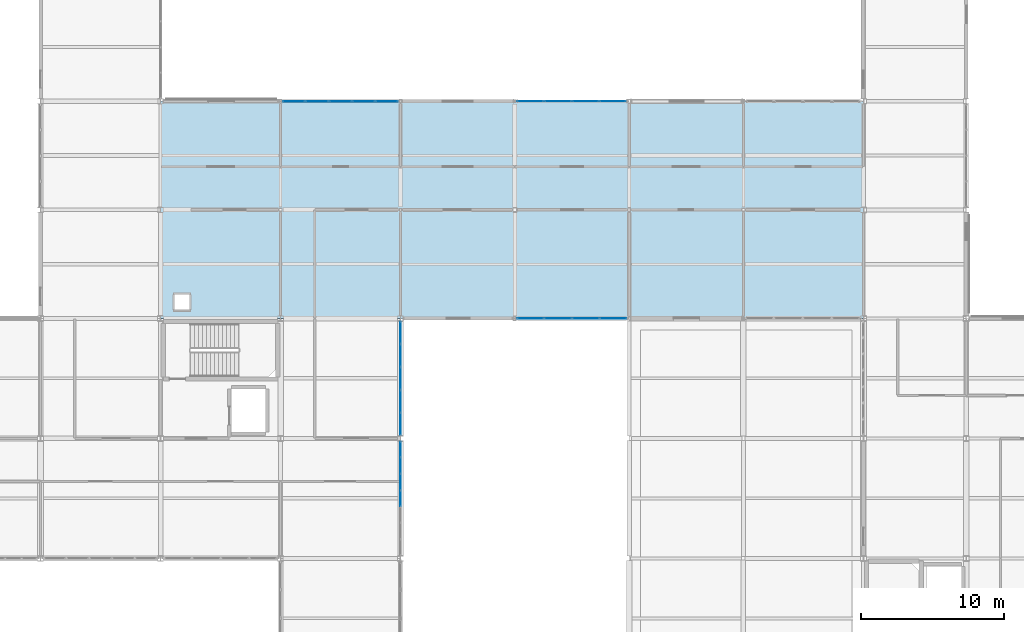
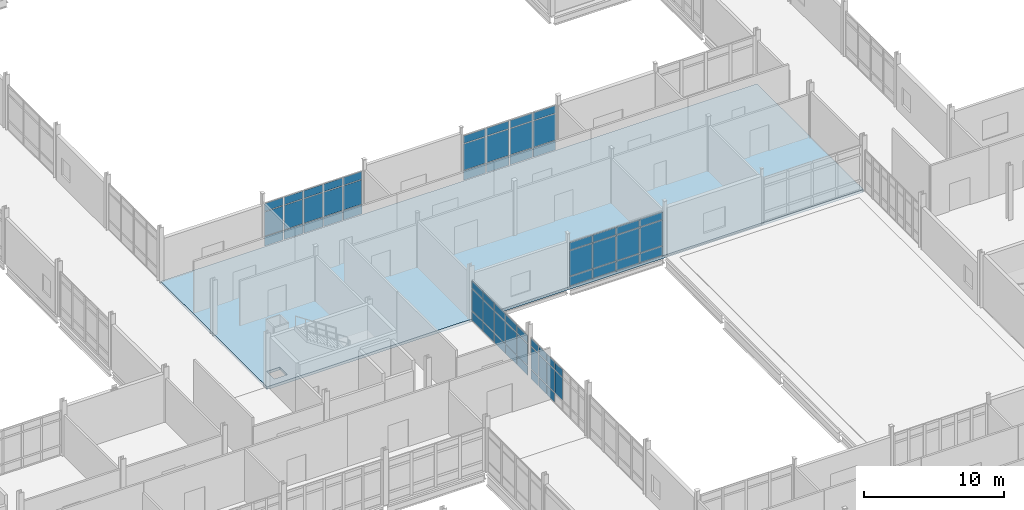
# One storey, part 125 of 186: 65 plates, 1 slab, 5 elements without a shape of their own.
"""IFC4 building model written with IfcOpenShell, lengths in metres."""

import ifcopenshell
import ifcopenshell.guid

model = None  # the IFC model being written
_history = None  # IfcOwnerHistory: only IFC2X3 demands one
_inside = {}  # id of a spatial element -> (the spatial element, [elements in it])
_under = {}  # id of a project, library or spatial element -> (it, [spatial elements below it])
_declared = {}  # id of a project -> (the project, [libraries it declares])
_typed = {}  # id of a type object -> (the type object, [elements of that type])
_made_of = {}  # id of a material, layer set ... -> (it, [elements and type objects made of it])


def new_model(schema):
    """Start an empty IFC model of exactly this schema.

    Asked for "IFC4X3", IfcOpenShell would pick the latest addendum, in which some entities
    have other attributes; the version numbers below select the first issue.
    IFC2X3 requires an IfcOwnerHistory on every rooted entity: one is made here for all.
    """
    global model, _history
    if schema == "IFC4X3":
        model = ifcopenshell.file(schema_version=(4, 3, 0, 0))
    else:
        model = ifcopenshell.file(schema=schema)
    _inside.clear()
    _under.clear()
    _declared.clear()
    _typed.clear()
    _made_of.clear()
    _history = None
    if model.schema == "IFC2X3":
        org = make("IfcOrganization", Name="unknown")
        user = make(
            "IfcPersonAndOrganization",
            ThePerson=make("IfcPerson", FamilyName="unknown"),
            TheOrganization=org,
        )
        app = make(
            "IfcApplication",
            ApplicationDeveloper=org,
            Version="unknown",
            ApplicationFullName="unknown",
            ApplicationIdentifier="unknown",
        )
        _history = make(
            "IfcOwnerHistory",
            OwningUser=user,
            OwningApplication=app,
            ChangeAction="ADDED",
            CreationDate=0,
        )
    return model


def make(cls, **values):
    """One entity of the class cls with the attributes given. An attribute that is None is left unset."""
    return model.create_entity(
        cls, **{name: value for name, value in values.items() if value is not None}
    )


def rooted(cls, **values):
    """An entity with a GlobalId (a new one), such as an element, a storey or a relation."""
    return make(cls, GlobalId=ifcopenshell.guid.new(), OwnerHistory=_history, **values)


def si_unit(unit_type, name, prefix=None):
    """IfcSIUnit, for example si_unit("LENGTHUNIT", "METRE", prefix="MILLI")."""
    return make("IfcSIUnit", UnitType=unit_type, Prefix=prefix, Name=name)


def assignment(units):
    """IfcUnitAssignment: the units of a project."""
    return None if units is None else make("IfcUnitAssignment", Units=units)


def point(xyz):
    """IfcCartesianPoint."""
    return None if xyz is None else make("IfcCartesianPoint", Coordinates=xyz)


def direction(xyz):
    """IfcDirection."""
    return None if xyz is None else make("IfcDirection", DirectionRatios=xyz)


def frame(location, z_axis=None, x_axis=None):
    """IfcAxis2Placement3D, a coordinate frame: its origin and axes. An axis left out is left unset."""
    return make(
        "IfcAxis2Placement3D",
        Location=point(location),
        Axis=direction(z_axis),
        RefDirection=direction(x_axis),
    )


def frame_2d(location, x_axis=None):
    """IfcAxis2Placement2D, a coordinate frame in the plane: its origin and x axis."""
    return make(
        "IfcAxis2Placement2D", Location=point(location), RefDirection=direction(x_axis)
    )


def origin():
    """The frame at (0, 0, 0) with its axes left unset."""
    return frame((0.0, 0.0, 0.0))


def origin_2d():
    """The frame at (0, 0) in the plane with its x axis left unset."""
    return frame_2d((0.0, 0.0))


def place(relative_to, where):
    """IfcLocalPlacement: puts the frame where relative to a parent placement (None: the world)."""
    return make(
        "IfcLocalPlacement", PlacementRelTo=relative_to, RelativePlacement=where
    )


def context(
    kind, dimensions, precision=None, world=None, true_north=None, identifier=None
):
    """IfcGeometricRepresentationContext, for example the 3D "Model" context."""
    return make(
        "IfcGeometricRepresentationContext",
        ContextIdentifier=identifier,
        ContextType=kind,
        CoordinateSpaceDimension=dimensions,
        Precision=precision,
        WorldCoordinateSystem=world,
        TrueNorth=true_north,
    )


def subcontext(parent, identifier, kind, view, scale=None):
    """IfcGeometricRepresentationSubContext, for example "Body" below "Model"."""
    return make(
        "IfcGeometricRepresentationSubContext",
        ContextIdentifier=identifier,
        ContextType=kind,
        ParentContext=parent,
        TargetScale=scale,
        TargetView=view,
    )


def project(units=None, contexts=None):
    """IfcProject with its units and contexts."""
    return rooted(
        "IfcProject",
        Name="project",
        RepresentationContexts=contexts,
        UnitsInContext=assignment(units),
    )


def spatial(cls, under=None, at=None, **own):
    """A site, building, storey or space (cls), placed at a placement, below another one or the project."""
    s = rooted(cls, ObjectPlacement=at, **own)
    if under is not None:
        _under.setdefault(under.id(), (under, []))[1].append(s)
    return s


def polyline(points):
    """IfcPolyline through the points."""
    return make("IfcPolyline", Points=[point(p) for p in points])


def profile(cls, at=None, kind="AREA", **sizes):
    """A parametric profile (cls). Its sizes go by their IFC names, for example OverallWidth=200.0."""
    return make(cls, ProfileType=kind, Position=at, **sizes)


def rectangle(**sizes):
    """IfcRectangleProfileDef."""
    return profile("IfcRectangleProfileDef", **sizes)


def outline(outer, holes=None, kind="AREA"):
    """IfcArbitraryClosedProfileDef: a profile drawn as a closed curve; with holes, ...WithVoids."""
    if holes is None:
        return make("IfcArbitraryClosedProfileDef", ProfileType=kind, OuterCurve=outer)
    return make(
        "IfcArbitraryProfileDefWithVoids",
        ProfileType=kind,
        OuterCurve=outer,
        InnerCurves=holes,
    )


def extrude(swept, where, along, depth):
    """IfcExtrudedAreaSolid: the profile swept, set in the frame where, extruded along a direction by depth."""
    return make(
        "IfcExtrudedAreaSolid",
        SweptArea=swept,
        Position=where,
        ExtrudedDirection=direction(along),
        Depth=depth,
    )


def shape(context_of_items, identifier, shape_type, items):
    """IfcShapeRepresentation: the items that make up one representation, for example the "Body"."""
    return make(
        "IfcShapeRepresentation",
        ContextOfItems=context_of_items,
        RepresentationIdentifier=identifier,
        RepresentationType=shape_type,
        Items=items,
    )


def material(Name=None, Category=None):
    """IfcMaterial."""
    return make("IfcMaterial", Name=Name, Category=Category)


def layer(
    of_material, thickness, ventilated=None, Name=None, Category=None, Priority=None
):
    """IfcMaterialLayer: one layer of a wall or slab, of a material (None: an air gap)."""
    return make(
        "IfcMaterialLayer",
        Material=of_material,
        LayerThickness=thickness,
        IsVentilated=ventilated,
        Name=Name,
        Category=Category,
        Priority=Priority,
    )


def layer_set(layers, Name=None):
    """IfcMaterialLayerSet."""
    return make("IfcMaterialLayerSet", MaterialLayers=layers, LayerSetName=Name)


def made_of(thing, what):
    """Note that an element or type object is made of a material, layer set ...; save() writes the relation."""
    if what is not None:
        _made_of.setdefault(what.id(), (what, []))[1].append(thing)
    return thing


def type_object(cls, material=None, **own):
    """A type object (cls), such as IfcWallType, which elements share."""
    return made_of(rooted(cls, **own), material)


def element(
    cls,
    number,
    at=None,
    inside=None,
    cuts=None,
    type_object=None,
    material=None,
    context=None,
    identifier="Body",
    shape_type=None,
    held_by="IfcProductDefinitionShape",
    body=None,
    shapes=None,
    **own,
):
    """One element of the class cls, such as IfcWall. Its Tag is "e" and its number.

    at: its placement. inside: the storey or other place that contains it. cuts: it is an
    opening in that element (IfcRelVoidsElement). A single representation is given by context,
    identifier, shape_type and body (its items); several are given by shapes. held_by: the class
    of the entity that holds the representations. save() writes the other relations.
    """
    e = rooted(cls, Tag="e%d" % number, ObjectPlacement=at, **own)
    if body is not None:
        shapes = [shape(context, identifier, shape_type, body)]
    if shapes is not None:
        e.Representation = make(held_by, Representations=shapes)
    if inside is not None:
        _inside.setdefault(inside.id(), (inside, []))[1].append(e)
    if cuts is not None:
        rooted(
            "IfcRelVoidsElement", RelatingBuildingElement=cuts, RelatedOpeningElement=e
        )
    if type_object is not None:
        _typed.setdefault(type_object.id(), (type_object, []))[1].append(e)
    return made_of(e, material)


def aggregate(whole, parts):
    """IfcRelAggregates: a whole, such as a stair, and the parts it consists of."""
    return rooted("IfcRelAggregates", RelatingObject=whole, RelatedObjects=parts)


def save(model, path):
    """Write the relations noted so far, then the file.

    IfcRelAggregates (storeys below a building ...), IfcRelContainedInSpatialStructure (elements
    in a storey), IfcRelDefinesByType, IfcRelAssociatesMaterial and IfcRelDeclares: one each for
    every whole, place, type object, material and project.
    """
    for whole, parts in _under.values():
        aggregate(whole, parts)
    for where, things in _inside.values():
        rooted(
            "IfcRelContainedInSpatialStructure",
            RelatedElements=things,
            RelatingStructure=where,
        )
    for kind, things in _typed.values():
        rooted("IfcRelDefinesByType", RelatedObjects=things, RelatingType=kind)
    for what, things in _made_of.values():
        rooted("IfcRelAssociatesMaterial", RelatedObjects=things, RelatingMaterial=what)
    for by, libraries in _declared.values():
        rooted("IfcRelDeclares", RelatingContext=by, RelatedDefinitions=libraries)
    model.write(path)


model = new_model("IFC4")

# Units and contexts
model_context = context("Model", 3, precision=1e-05, world=origin(), true_north=direction((0.0, 1.0)))
body_context = subcontext(model_context, "Body", "Model", "MODEL_VIEW")
ifc_project = project(units=[si_unit("LENGTHUNIT", "METRE"), si_unit("AREAUNIT", "SQUARE_METRE"), si_unit("VOLUMEUNIT", "CUBIC_METRE"), si_unit("PLANEANGLEUNIT", "RADIAN"), si_unit("MASSUNIT", "GRAM", prefix="KILO")], contexts=[model_context])

# Site, building, storey
site_placement = place(None, origin())
site = spatial("IfcSite", under=ifc_project, at=site_placement, CompositionType="ELEMENT")
building_placement = place(site_placement, origin())
building = spatial("IfcBuilding", under=site, at=building_placement, Name="Calvrana Isthmian Art Gallery", CompositionType="ELEMENT")
storey_placement = place(building_placement, frame((0.0, 0.0, 5.39990234375)))
storey = spatial("IfcBuildingStorey", under=building, at=storey_placement, Name="L01", CompositionType="ELEMENT", Elevation=5.39990234375)

# Curtain wall, plates
ifc_material_1 = material(Name="Anodized bronze aluminium 6063-T6", Category="aluminium")
ifc_layer_1 = layer(ifc_material_1, 0.179931640625, Name="Anodized bronze aluminium 6063-T6")
ifc_layer_set_1 = layer_set([ifc_layer_1], Name="Anodized bronze aluminium 6063-T6")
curtain_wall_type_1 = type_object("IfcCurtainWallType", Name="CW-UNIT-082X38", PredefinedType="USERDEFINED", material=ifc_layer_set_1)
curtain_wall_1_placement = place(storey_placement, origin())
curtain_wall_1 = element("IfcCurtainWall", 1, at=curtain_wall_1_placement, inside=storey, type_object=curtain_wall_type_1, Name="Curtain wall CW-105", ObjectType="UNITISED CURTAIN WALL", PredefinedType="USERDEFINED")
ifc_material_2 = material(Name="Polychrome glazed terracotta", Category="masonry")
ifc_layer_2 = layer(ifc_material_2, 0.033935546875, Name="Polychrome glazed terracotta")
ifc_layer_set_2 = layer_set([ifc_layer_2], Name="Polychrome glazed terracotta")
plate_type_1 = type_object("IfcPlateType", Name="CWP-SPANDREL-34", PredefinedType="CURTAIN_PANEL", material=ifc_layer_set_2)
plate_1_placement = place(storey_placement, frame((72.936279296875, 62.0, 0.06005859375), z_axis=(0.0, 0.0, 1.0), x_axis=(1.0, 0.0, 0.0)))
plate_1 = element("IfcPlate", 2, at=plate_1_placement, type_object=plate_type_1, Name="CW-105 panel 1.1", PredefinedType="CURTAIN_PANEL", context=body_context, shape_type="SweptSolid", body=[
    extrude(rectangle(XDim=1.529296875, YDim=0.033935546875, at=origin_2d()), origin(), (0.0, 0.0, 1.0), 0.81005859375),
])
plate_2_placement = place(storey_placement, frame((72.936279296875, 62.0, 0.93017578125), z_axis=(0.0, 0.0, 1.0), x_axis=(1.0, 0.0, 0.0)))
plate_2 = element("IfcPlate", 3, at=plate_2_placement, type_object=plate_type_1, Name="CW-105 panel 1.2", PredefinedType="CURTAIN_PANEL", context=body_context, shape_type="SweptSolid", body=[
    extrude(rectangle(XDim=1.529296875, YDim=0.033935546875, at=origin_2d()), origin(), (0.0, 0.0, 1.0), 2.116943359375),
])
plate_3_placement = place(storey_placement, frame((72.936279296875, 62.0, 3.10693359375), z_axis=(0.0, 0.0, 1.0), x_axis=(1.0, 0.0, 0.0)))
plate_3 = element("IfcPlate", 4, at=plate_3_placement, type_object=plate_type_1, Name="CW-105 panel 1.3", PredefinedType="CURTAIN_PANEL", context=body_context, shape_type="SweptSolid", body=[
    extrude(rectangle(XDim=1.529296875, YDim=0.033935546875, at=origin_2d()), origin(), (0.0, 0.0, 1.0), 0.659912109375),
])
plate_4_placement = place(storey_placement, frame((74.552978515625, 62.0, 0.06005859375), z_axis=(0.0, 0.0, 1.0), x_axis=(1.0, 0.0, 0.0)))
plate_4 = element("IfcPlate", 5, at=plate_4_placement, type_object=plate_type_1, Name="CW-105 panel 2.1", PredefinedType="CURTAIN_PANEL", context=body_context, shape_type="SweptSolid", body=[
    extrude(rectangle(XDim=1.564208984375, YDim=0.033935546875, at=origin_2d()), origin(), (0.0, 0.0, 1.0), 0.81005859375),
])
plate_5_placement = place(storey_placement, frame((74.552978515625, 62.0, 0.93017578125), z_axis=(0.0, 0.0, 1.0), x_axis=(1.0, 0.0, 0.0)))
plate_5 = element("IfcPlate", 6, at=plate_5_placement, type_object=plate_type_1, Name="CW-105 panel 2.2", PredefinedType="CURTAIN_PANEL", context=body_context, shape_type="SweptSolid", body=[
    extrude(rectangle(XDim=1.564208984375, YDim=0.033935546875, at=origin_2d()), origin(), (0.0, 0.0, 1.0), 2.116943359375),
])
plate_6_placement = place(storey_placement, frame((74.552978515625, 62.0, 3.10693359375), z_axis=(0.0, 0.0, 1.0), x_axis=(1.0, 0.0, 0.0)))
plate_6 = element("IfcPlate", 7, at=plate_6_placement, type_object=plate_type_1, Name="CW-105 panel 2.3", PredefinedType="CURTAIN_PANEL", context=body_context, shape_type="SweptSolid", body=[
    extrude(rectangle(XDim=1.564208984375, YDim=0.033935546875, at=origin_2d()), origin(), (0.0, 0.0, 1.0), 0.659912109375),
])
plate_7_placement = place(storey_placement, frame((76.187255859375, 62.0, 0.06005859375), z_axis=(0.0, 0.0, 1.0), x_axis=(1.0, 0.0, 0.0)))
plate_7 = element("IfcPlate", 8, at=plate_7_placement, type_object=plate_type_1, Name="CW-105 panel 3.1", PredefinedType="CURTAIN_PANEL", context=body_context, shape_type="SweptSolid", body=[
    extrude(rectangle(XDim=1.564208984375, YDim=0.033935546875, at=origin_2d()), origin(), (0.0, 0.0, 1.0), 0.81005859375),
])
plate_8_placement = place(storey_placement, frame((76.187255859375, 62.0, 0.93017578125), z_axis=(0.0, 0.0, 1.0), x_axis=(1.0, 0.0, 0.0)))
plate_8 = element("IfcPlate", 9, at=plate_8_placement, type_object=plate_type_1, Name="CW-105 panel 3.2", PredefinedType="CURTAIN_PANEL", context=body_context, shape_type="SweptSolid", body=[
    extrude(rectangle(XDim=1.564208984375, YDim=0.033935546875, at=origin_2d()), origin(), (0.0, 0.0, 1.0), 2.116943359375),
])
plate_9_placement = place(storey_placement, frame((76.187255859375, 62.0, 3.10693359375), z_axis=(0.0, 0.0, 1.0), x_axis=(1.0, 0.0, 0.0)))
plate_9 = element("IfcPlate", 10, at=plate_9_placement, type_object=plate_type_1, Name="CW-105 panel 3.3", PredefinedType="CURTAIN_PANEL", context=body_context, shape_type="SweptSolid", body=[
    extrude(rectangle(XDim=1.564208984375, YDim=0.033935546875, at=origin_2d()), origin(), (0.0, 0.0, 1.0), 0.659912109375),
])
plate_10_placement = place(storey_placement, frame((77.821533203125, 62.0, 0.06005859375), z_axis=(0.0, 0.0, 1.0), x_axis=(1.0, 0.0, 0.0)))
plate_10 = element("IfcPlate", 11, at=plate_10_placement, type_object=plate_type_1, Name="CW-105 panel 4.1", PredefinedType="CURTAIN_PANEL", context=body_context, shape_type="SweptSolid", body=[
    extrude(rectangle(XDim=1.564208984375, YDim=0.033935546875, at=origin_2d()), origin(), (0.0, 0.0, 1.0), 0.81005859375),
])
plate_11_placement = place(storey_placement, frame((77.821533203125, 62.0, 0.93017578125), z_axis=(0.0, 0.0, 1.0), x_axis=(1.0, 0.0, 0.0)))
plate_11 = element("IfcPlate", 12, at=plate_11_placement, type_object=plate_type_1, Name="CW-105 panel 4.2", PredefinedType="CURTAIN_PANEL", context=body_context, shape_type="SweptSolid", body=[
    extrude(rectangle(XDim=1.564208984375, YDim=0.033935546875, at=origin_2d()), origin(), (0.0, 0.0, 1.0), 2.116943359375),
])
plate_12_placement = place(storey_placement, frame((77.821533203125, 62.0, 3.10693359375), z_axis=(0.0, 0.0, 1.0), x_axis=(1.0, 0.0, 0.0)))
plate_12 = element("IfcPlate", 13, at=plate_12_placement, type_object=plate_type_1, Name="CW-105 panel 4.3", PredefinedType="CURTAIN_PANEL", context=body_context, shape_type="SweptSolid", body=[
    extrude(rectangle(XDim=1.564208984375, YDim=0.033935546875, at=origin_2d()), origin(), (0.0, 0.0, 1.0), 0.659912109375),
])
plate_13_placement = place(storey_placement, frame((79.4384765625, 62.0, 0.06005859375), z_axis=(0.0, 0.0, 1.0), x_axis=(1.0, 0.0, 0.0)))
plate_13 = element("IfcPlate", 14, at=plate_13_placement, type_object=plate_type_1, Name="CW-105 panel 5.1", PredefinedType="CURTAIN_PANEL", context=body_context, shape_type="SweptSolid", body=[
    extrude(rectangle(XDim=1.529296875, YDim=0.033935546875, at=origin_2d()), origin(), (0.0, 0.0, 1.0), 0.81005859375),
])
plate_14_placement = place(storey_placement, frame((79.4384765625, 62.0, 0.93017578125), z_axis=(0.0, 0.0, 1.0), x_axis=(1.0, 0.0, 0.0)))
plate_14 = element("IfcPlate", 15, at=plate_14_placement, type_object=plate_type_1, Name="CW-105 panel 5.2", PredefinedType="CURTAIN_PANEL", context=body_context, shape_type="SweptSolid", body=[
    extrude(rectangle(XDim=1.529296875, YDim=0.033935546875, at=origin_2d()), origin(), (0.0, 0.0, 1.0), 2.116943359375),
])
plate_15_placement = place(storey_placement, frame((79.4384765625, 62.0, 3.10693359375), z_axis=(0.0, 0.0, 1.0), x_axis=(1.0, 0.0, 0.0)))
plate_15 = element("IfcPlate", 16, at=plate_15_placement, type_object=plate_type_1, Name="CW-105 panel 5.3", PredefinedType="CURTAIN_PANEL", context=body_context, shape_type="SweptSolid", body=[
    extrude(rectangle(XDim=1.529296875, YDim=0.033935546875, at=origin_2d()), origin(), (0.0, 0.0, 1.0), 0.659912109375),
])
aggregate(curtain_wall_1, [plate_1, plate_2, plate_3, plate_4, plate_5, plate_6, plate_7, plate_8, plate_9, plate_10, plate_11, plate_12, plate_13, plate_14, plate_15])

ifc_layer_3 = layer(ifc_material_1, 0.179931640625, Name="Anodized bronze aluminium 6063-T6")
ifc_layer_set_3 = layer_set([ifc_layer_3], Name="Anodized bronze aluminium 6063-T6")
curtain_wall_type_2 = type_object("IfcCurtainWallType", Name="CW-STICK-078X39", PredefinedType="NOTDEFINED", material=ifc_layer_set_3)
curtain_wall_2_placement = place(storey_placement, origin())
curtain_wall_2 = element("IfcCurtainWall", 17, at=curtain_wall_2_placement, inside=storey, type_object=curtain_wall_type_2, Name="Curtain wall CW-098", PredefinedType="NOTDEFINED")
ifc_material_3 = material(Name="Low-E laminated solar glass", Category="glass")
ifc_layer_4 = layer(ifc_material_3, 0.028076171875, Name="Low-E laminated solar glass")
ifc_layer_set_4 = layer_set([ifc_layer_4], Name="Low-E laminated solar glass")
plate_type_2 = type_object("IfcPlateType", Name="CWP-VISION-28", PredefinedType="CURTAIN_PANEL", material=ifc_layer_set_4)
plate_16_placement = place(storey_placement, frame((95.285400390625, 46.800048828125, 0.070068359375), z_axis=(0.0, 0.0, 1.0), x_axis=(-1.0, 0.0, 0.0)))
plate_16 = element("IfcPlate", 18, at=plate_16_placement, type_object=plate_type_2, Name="CW-098 panel 1.1", PredefinedType="CURTAIN_PANEL", context=body_context, shape_type="SweptSolid", body=[
    extrude(rectangle(XDim=1.845458984375, YDim=0.028076171875, at=origin_2d()), origin(), (0.0, 0.0, 1.0), 0.794921875),
])
plate_17_placement = place(storey_placement, frame((95.285400390625, 46.800048828125, 0.93505859375), z_axis=(0.0, 0.0, 1.0), x_axis=(-1.0, 0.0, 0.0)))
plate_17 = element("IfcPlate", 19, at=plate_17_placement, type_object=plate_type_2, Name="CW-098 panel 1.2", PredefinedType="CURTAIN_PANEL", context=body_context, shape_type="SweptSolid", body=[
    extrude(rectangle(XDim=1.845458984375, YDim=0.028076171875, at=origin_2d()), origin(), (0.0, 0.0, 1.0), 2.193115234375),
])
plate_18_placement = place(storey_placement, frame((95.285400390625, 46.800048828125, 3.197998046875), z_axis=(0.0, 0.0, 1.0), x_axis=(-1.0, 0.0, 0.0)))
plate_18 = element("IfcPlate", 20, at=plate_18_placement, type_object=plate_type_2, Name="CW-098 panel 1.3", PredefinedType="CURTAIN_PANEL", context=body_context, shape_type="SweptSolid", body=[
    extrude(rectangle(XDim=1.845458984375, YDim=0.028076171875, at=origin_2d()), origin(), (0.0, 0.0, 1.0), 0.64501953125),
])
plate_19_placement = place(storey_placement, frame((93.358642578125, 46.800048828125, 0.070068359375), z_axis=(0.0, 0.0, 1.0), x_axis=(-1.0, 0.0, 0.0)))
plate_19 = element("IfcPlate", 21, at=plate_19_placement, type_object=plate_type_2, Name="CW-098 panel 2.1", PredefinedType="CURTAIN_PANEL", context=body_context, shape_type="SweptSolid", body=[
    extrude(rectangle(XDim=1.8779296875, YDim=0.028076171875, at=origin_2d()), origin(), (0.0, 0.0, 1.0), 0.794921875),
])
plate_20_placement = place(storey_placement, frame((93.358642578125, 46.800048828125, 0.93505859375), z_axis=(0.0, 0.0, 1.0), x_axis=(-1.0, 0.0, 0.0)))
plate_20 = element("IfcPlate", 22, at=plate_20_placement, type_object=plate_type_2, Name="CW-098 panel 2.2", PredefinedType="CURTAIN_PANEL", context=body_context, shape_type="SweptSolid", body=[
    extrude(rectangle(XDim=1.8779296875, YDim=0.028076171875, at=origin_2d()), origin(), (0.0, 0.0, 1.0), 2.193115234375),
])
plate_21_placement = place(storey_placement, frame((93.358642578125, 46.800048828125, 3.197998046875), z_axis=(0.0, 0.0, 1.0), x_axis=(-1.0, 0.0, 0.0)))
plate_21 = element("IfcPlate", 23, at=plate_21_placement, type_object=plate_type_2, Name="CW-098 panel 2.3", PredefinedType="CURTAIN_PANEL", context=body_context, shape_type="SweptSolid", body=[
    extrude(rectangle(XDim=1.8779296875, YDim=0.028076171875, at=origin_2d()), origin(), (0.0, 0.0, 1.0), 0.64501953125),
])
plate_22_placement = place(storey_placement, frame((91.415771484375, 46.800048828125, 0.070068359375), z_axis=(0.0, 0.0, 1.0), x_axis=(-1.0, 0.0, 0.0)))
plate_22 = element("IfcPlate", 24, at=plate_22_placement, type_object=plate_type_2, Name="CW-098 panel 3.1", PredefinedType="CURTAIN_PANEL", context=body_context, shape_type="SweptSolid", body=[
    extrude(rectangle(XDim=1.8779296875, YDim=0.028076171875, at=origin_2d()), origin(), (0.0, 0.0, 1.0), 0.794921875),
])
plate_23_placement = place(storey_placement, frame((91.415771484375, 46.800048828125, 0.93505859375), z_axis=(0.0, 0.0, 1.0), x_axis=(-1.0, 0.0, 0.0)))
plate_23 = element("IfcPlate", 25, at=plate_23_placement, type_object=plate_type_2, Name="CW-098 panel 3.2", PredefinedType="CURTAIN_PANEL", context=body_context, shape_type="SweptSolid", body=[
    extrude(rectangle(XDim=1.8779296875, YDim=0.028076171875, at=origin_2d()), origin(), (0.0, 0.0, 1.0), 2.193115234375),
])
plate_24_placement = place(storey_placement, frame((91.415771484375, 46.800048828125, 3.197998046875), z_axis=(0.0, 0.0, 1.0), x_axis=(-1.0, 0.0, 0.0)))
plate_24 = element("IfcPlate", 26, at=plate_24_placement, type_object=plate_type_2, Name="CW-098 panel 3.3", PredefinedType="CURTAIN_PANEL", context=body_context, shape_type="SweptSolid", body=[
    extrude(rectangle(XDim=1.8779296875, YDim=0.028076171875, at=origin_2d()), origin(), (0.0, 0.0, 1.0), 0.64501953125),
])
plate_25_placement = place(storey_placement, frame((89.4892578125, 46.800048828125, 0.070068359375), z_axis=(0.0, 0.0, 1.0), x_axis=(-1.0, 0.0, 0.0)))
plate_25 = element("IfcPlate", 27, at=plate_25_placement, type_object=plate_type_2, Name="CW-098 panel 4.1", PredefinedType="CURTAIN_PANEL", context=body_context, shape_type="SweptSolid", body=[
    extrude(rectangle(XDim=1.845458984375, YDim=0.028076171875, at=origin_2d()), origin(), (0.0, 0.0, 1.0), 0.794921875),
])
plate_26_placement = place(storey_placement, frame((89.4892578125, 46.800048828125, 0.93505859375), z_axis=(0.0, 0.0, 1.0), x_axis=(-1.0, 0.0, 0.0)))
plate_26 = element("IfcPlate", 28, at=plate_26_placement, type_object=plate_type_2, Name="CW-098 panel 4.2", PredefinedType="CURTAIN_PANEL", context=body_context, shape_type="SweptSolid", body=[
    extrude(rectangle(XDim=1.845458984375, YDim=0.028076171875, at=origin_2d()), origin(), (0.0, 0.0, 1.0), 2.193115234375),
])
plate_27_placement = place(storey_placement, frame((89.4892578125, 46.800048828125, 3.197998046875), z_axis=(0.0, 0.0, 1.0), x_axis=(-1.0, 0.0, 0.0)))
plate_27 = element("IfcPlate", 29, at=plate_27_placement, type_object=plate_type_2, Name="CW-098 panel 4.3", PredefinedType="CURTAIN_PANEL", context=body_context, shape_type="SweptSolid", body=[
    extrude(rectangle(XDim=1.845458984375, YDim=0.028076171875, at=origin_2d()), origin(), (0.0, 0.0, 1.0), 0.64501953125),
])
aggregate(curtain_wall_2, [plate_16, plate_17, plate_18, plate_19, plate_20, plate_21, plate_22, plate_23, plate_24, plate_25, plate_26, plate_27])

ifc_layer_5 = layer(ifc_material_1, 0.179931640625, Name="Anodized bronze aluminium 6063-T6")
ifc_layer_set_5 = layer_set([ifc_layer_5], Name="Anodized bronze aluminium 6063-T6")
curtain_wall_type_3 = type_object("IfcCurtainWallType", Name="CW-STICK-077X40", PredefinedType="NOTDEFINED", material=ifc_layer_set_5)
curtain_wall_3_placement = place(storey_placement, origin())
curtain_wall_3 = element("IfcCurtainWall", 30, at=curtain_wall_3_placement, inside=storey, type_object=curtain_wall_type_3, Name="Curtain wall CW-106", PredefinedType="NOTDEFINED")
plate_28_placement = place(storey_placement, frame((89.488525390625, 62.0, 0.06005859375), z_axis=(0.0, 0.0, 1.0), x_axis=(1.0, 0.0, 0.0)))
plate_28 = element("IfcPlate", 31, at=plate_28_placement, type_object=plate_type_2, Name="CW-106 panel 1.1", PredefinedType="CURTAIN_PANEL", context=body_context, shape_type="SweptSolid", body=[
    extrude(rectangle(XDim=1.823974609375, YDim=0.028076171875, at=origin_2d()), origin(), (0.0, 0.0, 1.0), 0.81005859375),
])
plate_29_placement = place(storey_placement, frame((89.488525390625, 62.0, 0.93017578125), z_axis=(0.0, 0.0, 1.0), x_axis=(1.0, 0.0, 0.0)))
plate_29 = element("IfcPlate", 32, at=plate_29_placement, type_object=plate_type_2, Name="CW-106 panel 1.2", PredefinedType="CURTAIN_PANEL", context=body_context, shape_type="SweptSolid", body=[
    extrude(rectangle(XDim=1.823974609375, YDim=0.028076171875, at=origin_2d()), origin(), (0.0, 0.0, 1.0), 2.277099609375),
])
plate_30_placement = place(storey_placement, frame((89.488525390625, 62.0, 3.26708984375), z_axis=(0.0, 0.0, 1.0), x_axis=(1.0, 0.0, 0.0)))
plate_30 = element("IfcPlate", 33, at=plate_30_placement, type_object=plate_type_2, Name="CW-106 panel 1.3", PredefinedType="CURTAIN_PANEL", context=body_context, shape_type="SweptSolid", body=[
    extrude(rectangle(XDim=1.823974609375, YDim=0.028076171875, at=origin_2d()), origin(), (0.0, 0.0, 1.0), 0.659912109375),
])
plate_31_placement = place(storey_placement, frame((91.40625, 62.0, 0.06005859375), z_axis=(0.0, 0.0, 1.0), x_axis=(1.0, 0.0, 0.0)))
plate_31 = element("IfcPlate", 34, at=plate_31_placement, type_object=plate_type_2, Name="CW-106 panel 2.1", PredefinedType="CURTAIN_PANEL", context=body_context, shape_type="SweptSolid", body=[
    extrude(rectangle(XDim=1.861572265625, YDim=0.028076171875, at=origin_2d()), origin(), (0.0, 0.0, 1.0), 0.81005859375),
])
plate_32_placement = place(storey_placement, frame((91.40625, 62.0, 0.93017578125), z_axis=(0.0, 0.0, 1.0), x_axis=(1.0, 0.0, 0.0)))
plate_32 = element("IfcPlate", 35, at=plate_32_placement, type_object=plate_type_2, Name="CW-106 panel 2.2", PredefinedType="CURTAIN_PANEL", context=body_context, shape_type="SweptSolid", body=[
    extrude(rectangle(XDim=1.861572265625, YDim=0.028076171875, at=origin_2d()), origin(), (0.0, 0.0, 1.0), 2.277099609375),
])
plate_33_placement = place(storey_placement, frame((91.40625, 62.0, 3.26708984375), z_axis=(0.0, 0.0, 1.0), x_axis=(1.0, 0.0, 0.0)))
plate_33 = element("IfcPlate", 36, at=plate_33_placement, type_object=plate_type_2, Name="CW-106 panel 2.3", PredefinedType="CURTAIN_PANEL", context=body_context, shape_type="SweptSolid", body=[
    extrude(rectangle(XDim=1.861572265625, YDim=0.028076171875, at=origin_2d()), origin(), (0.0, 0.0, 1.0), 0.659912109375),
])
plate_34_placement = place(storey_placement, frame((93.3427734375, 62.0, 0.06005859375), z_axis=(0.0, 0.0, 1.0), x_axis=(1.0, 0.0, 0.0)))
plate_34 = element("IfcPlate", 37, at=plate_34_placement, type_object=plate_type_2, Name="CW-106 panel 3.1", PredefinedType="CURTAIN_PANEL", context=body_context, shape_type="SweptSolid", body=[
    extrude(rectangle(XDim=1.861572265625, YDim=0.028076171875, at=origin_2d()), origin(), (0.0, 0.0, 1.0), 0.81005859375),
])
plate_35_placement = place(storey_placement, frame((93.3427734375, 62.0, 0.93017578125), z_axis=(0.0, 0.0, 1.0), x_axis=(1.0, 0.0, 0.0)))
plate_35 = element("IfcPlate", 38, at=plate_35_placement, type_object=plate_type_2, Name="CW-106 panel 3.2", PredefinedType="CURTAIN_PANEL", context=body_context, shape_type="SweptSolid", body=[
    extrude(rectangle(XDim=1.861572265625, YDim=0.028076171875, at=origin_2d()), origin(), (0.0, 0.0, 1.0), 2.277099609375),
])
plate_36_placement = place(storey_placement, frame((93.3427734375, 62.0, 3.26708984375), z_axis=(0.0, 0.0, 1.0), x_axis=(1.0, 0.0, 0.0)))
plate_36 = element("IfcPlate", 39, at=plate_36_placement, type_object=plate_type_2, Name="CW-106 panel 3.3", PredefinedType="CURTAIN_PANEL", context=body_context, shape_type="SweptSolid", body=[
    extrude(rectangle(XDim=1.861572265625, YDim=0.028076171875, at=origin_2d()), origin(), (0.0, 0.0, 1.0), 0.659912109375),
])
plate_37_placement = place(storey_placement, frame((95.260498046875, 62.0, 0.06005859375), z_axis=(0.0, 0.0, 1.0), x_axis=(1.0, 0.0, 0.0)))
plate_37 = element("IfcPlate", 40, at=plate_37_placement, type_object=plate_type_2, Name="CW-106 panel 4.1", PredefinedType="CURTAIN_PANEL", context=body_context, shape_type="SweptSolid", body=[
    extrude(rectangle(XDim=1.823974609375, YDim=0.028076171875, at=origin_2d()), origin(), (0.0, 0.0, 1.0), 0.81005859375),
])
plate_38_placement = place(storey_placement, frame((95.260498046875, 62.0, 0.93017578125), z_axis=(0.0, 0.0, 1.0), x_axis=(1.0, 0.0, 0.0)))
plate_38 = element("IfcPlate", 41, at=plate_38_placement, type_object=plate_type_2, Name="CW-106 panel 4.2", PredefinedType="CURTAIN_PANEL", context=body_context, shape_type="SweptSolid", body=[
    extrude(rectangle(XDim=1.823974609375, YDim=0.028076171875, at=origin_2d()), origin(), (0.0, 0.0, 1.0), 2.277099609375),
])
plate_39_placement = place(storey_placement, frame((95.260498046875, 62.0, 3.26708984375), z_axis=(0.0, 0.0, 1.0), x_axis=(1.0, 0.0, 0.0)))
plate_39 = element("IfcPlate", 42, at=plate_39_placement, type_object=plate_type_2, Name="CW-106 panel 4.3", PredefinedType="CURTAIN_PANEL", context=body_context, shape_type="SweptSolid", body=[
    extrude(rectangle(XDim=1.823974609375, YDim=0.028076171875, at=origin_2d()), origin(), (0.0, 0.0, 1.0), 0.659912109375),
])
aggregate(curtain_wall_3, [plate_28, plate_29, plate_30, plate_31, plate_32, plate_33, plate_34, plate_35, plate_36, plate_37, plate_38, plate_39])

ifc_layer_6 = layer(ifc_material_1, 0.179931640625, Name="Anodized bronze aluminium 6063-T6")
ifc_layer_set_6 = layer_set([ifc_layer_6], Name="Anodized bronze aluminium 6063-T6")
curtain_wall_type_4 = type_object("IfcCurtainWallType", Name="CW-STICK-080X37", PredefinedType="NOTDEFINED", material=ifc_layer_set_6)
curtain_wall_4_placement = place(storey_placement, origin())
curtain_wall_4 = element("IfcCurtainWall", 43, at=curtain_wall_4_placement, inside=storey, type_object=curtain_wall_type_4, Name="Curtain wall CW-132", PredefinedType="NOTDEFINED")
plate_40_placement = place(storey_placement, frame((80.39990234375, 37.623779296875, 0.06494140625), z_axis=(0.0, 0.0, 1.0), x_axis=(0.0, -1.0, 0.0)))
plate_40 = element("IfcPlate", 44, at=plate_40_placement, type_object=plate_type_2, Name="CW-132 panel 1.1", PredefinedType="CURTAIN_PANEL", context=body_context, shape_type="SweptSolid", body=[
    extrude(rectangle(XDim=1.056396484375, YDim=0.028076171875, at=origin_2d()), origin(), (0.0, 0.0, 1.0), 0.802490234375),
])
plate_41_placement = place(storey_placement, frame((80.39990234375, 37.623779296875, 0.9326171875), z_axis=(0.0, 0.0, 1.0), x_axis=(0.0, -1.0, 0.0)))
plate_41 = element("IfcPlate", 45, at=plate_41_placement, type_object=plate_type_2, Name="CW-132 panel 1.2", PredefinedType="CURTAIN_PANEL", context=body_context, shape_type="SweptSolid", body=[
    extrude(rectangle(XDim=1.056396484375, YDim=0.028076171875, at=origin_2d()), origin(), (0.0, 0.0, 1.0), 1.948974609375),
])
plate_42_placement = place(storey_placement, frame((80.39990234375, 37.623779296875, 2.94677734375), z_axis=(0.0, 0.0, 1.0), x_axis=(0.0, -1.0, 0.0)))
plate_42 = element("IfcPlate", 46, at=plate_42_placement, type_object=plate_type_2, Name="CW-132 panel 1.3", PredefinedType="CURTAIN_PANEL", context=body_context, shape_type="SweptSolid", body=[
    extrude(rectangle(XDim=1.056396484375, YDim=0.028076171875, at=origin_2d()), origin(), (0.0, 0.0, 1.0), 0.652587890625),
])
plate_43_placement = place(storey_placement, frame((80.39990234375, 36.4921875, 0.06494140625), z_axis=(0.0, 0.0, 1.0), x_axis=(0.0, -1.0, 0.0)))
plate_43 = element("IfcPlate", 47, at=plate_43_placement, type_object=plate_type_2, Name="CW-132 panel 2.1", PredefinedType="CURTAIN_PANEL", context=body_context, shape_type="SweptSolid", body=[
    extrude(rectangle(XDim=1.08642578125, YDim=0.028076171875, at=origin_2d()), origin(), (0.0, 0.0, 1.0), 0.802490234375),
])
plate_44_placement = place(storey_placement, frame((80.39990234375, 36.4921875, 0.9326171875), z_axis=(0.0, 0.0, 1.0), x_axis=(0.0, -1.0, 0.0)))
plate_44 = element("IfcPlate", 48, at=plate_44_placement, type_object=plate_type_2, Name="CW-132 panel 2.2", PredefinedType="CURTAIN_PANEL", context=body_context, shape_type="SweptSolid", body=[
    extrude(rectangle(XDim=1.08642578125, YDim=0.028076171875, at=origin_2d()), origin(), (0.0, 0.0, 1.0), 1.948974609375),
])
plate_45_placement = place(storey_placement, frame((80.39990234375, 36.4921875, 2.94677734375), z_axis=(0.0, 0.0, 1.0), x_axis=(0.0, -1.0, 0.0)))
plate_45 = element("IfcPlate", 49, at=plate_45_placement, type_object=plate_type_2, Name="CW-132 panel 2.3", PredefinedType="CURTAIN_PANEL", context=body_context, shape_type="SweptSolid", body=[
    extrude(rectangle(XDim=1.08642578125, YDim=0.028076171875, at=origin_2d()), origin(), (0.0, 0.0, 1.0), 0.652587890625),
])
plate_46_placement = place(storey_placement, frame((80.39990234375, 35.345703125, 0.06494140625), z_axis=(0.0, 0.0, 1.0), x_axis=(0.0, -1.0, 0.0)))
plate_46 = element("IfcPlate", 50, at=plate_46_placement, type_object=plate_type_2, Name="CW-132 panel 3.1", PredefinedType="CURTAIN_PANEL", context=body_context, shape_type="SweptSolid", body=[
    extrude(rectangle(XDim=1.08642578125, YDim=0.028076171875, at=origin_2d()), origin(), (0.0, 0.0, 1.0), 0.802490234375),
])
plate_47_placement = place(storey_placement, frame((80.39990234375, 35.345703125, 0.9326171875), z_axis=(0.0, 0.0, 1.0), x_axis=(0.0, -1.0, 0.0)))
plate_47 = element("IfcPlate", 51, at=plate_47_placement, type_object=plate_type_2, Name="CW-132 panel 3.2", PredefinedType="CURTAIN_PANEL", context=body_context, shape_type="SweptSolid", body=[
    extrude(rectangle(XDim=1.08642578125, YDim=0.028076171875, at=origin_2d()), origin(), (0.0, 0.0, 1.0), 1.948974609375),
])
plate_48_placement = place(storey_placement, frame((80.39990234375, 35.345703125, 2.94677734375), z_axis=(0.0, 0.0, 1.0), x_axis=(0.0, -1.0, 0.0)))
plate_48 = element("IfcPlate", 52, at=plate_48_placement, type_object=plate_type_2, Name="CW-132 panel 3.3", PredefinedType="CURTAIN_PANEL", context=body_context, shape_type="SweptSolid", body=[
    extrude(rectangle(XDim=1.08642578125, YDim=0.028076171875, at=origin_2d()), origin(), (0.0, 0.0, 1.0), 0.652587890625),
])
plate_49_placement = place(storey_placement, frame((80.39990234375, 34.19921875, 0.9326171875), z_axis=(0.0, 0.0, 1.0), x_axis=(0.0, -1.0, 0.0)))
plate_49 = element("IfcPlate", 53, at=plate_49_placement, type_object=plate_type_2, Name="CW-132 panel 4.2", PredefinedType="CURTAIN_PANEL", context=body_context, shape_type="SweptSolid", body=[
    extrude(rectangle(XDim=1.08642578125, YDim=0.028076171875, at=origin_2d()), origin(), (0.0, 0.0, 1.0), 1.948974609375),
])
plate_50_placement = place(storey_placement, frame((80.39990234375, 34.19921875, 2.94677734375), z_axis=(0.0, 0.0, 1.0), x_axis=(0.0, -1.0, 0.0)))
plate_50 = element("IfcPlate", 54, at=plate_50_placement, type_object=plate_type_2, Name="CW-132 panel 4.3", PredefinedType="CURTAIN_PANEL", context=body_context, shape_type="SweptSolid", body=[
    extrude(rectangle(XDim=1.08642578125, YDim=0.028076171875, at=origin_2d()), origin(), (0.0, 0.0, 1.0), 0.652587890625),
])
aggregate(curtain_wall_4, [plate_40, plate_41, plate_42, plate_43, plate_44, plate_45, plate_46, plate_47, plate_48, plate_49, plate_50])

ifc_layer_7 = layer(ifc_material_1, 0.179931640625, Name="Anodized bronze aluminium 6063-T6")
ifc_layer_set_7 = layer_set([ifc_layer_7], Name="Anodized bronze aluminium 6063-T6")
curtain_wall_type_5 = type_object("IfcCurtainWallType", Name="CW-UNIT-080X36", PredefinedType="USERDEFINED", material=ifc_layer_set_7)
curtain_wall_5_placement = place(storey_placement, origin())
curtain_wall_5 = element("IfcCurtainWall", 55, at=curtain_wall_5_placement, inside=storey, type_object=curtain_wall_type_5, Name="Curtain wall CW-133", ObjectType="UNITISED CURTAIN WALL", PredefinedType="USERDEFINED")
plate_51_placement = place(storey_placement, frame((80.39990234375, 45.792236328125, 0.070068359375), z_axis=(0.0, 0.0, 1.0), x_axis=(0.0, -1.0, 0.0)))
plate_51 = element("IfcPlate", 56, at=plate_51_placement, type_object=plate_type_2, Name="CW-133 panel 1.1", PredefinedType="CURTAIN_PANEL", context=body_context, shape_type="SweptSolid", body=[
    extrude(rectangle(XDim=1.514404296875, YDim=0.028076171875, at=origin_2d()), origin(), (0.0, 0.0, 1.0), 0.794921875),
])
plate_52_placement = place(storey_placement, frame((80.39990234375, 45.792236328125, 0.93505859375), z_axis=(0.0, 0.0, 1.0), x_axis=(0.0, -1.0, 0.0)))
plate_52 = element("IfcPlate", 57, at=plate_52_placement, type_object=plate_type_2, Name="CW-133 panel 1.2", PredefinedType="CURTAIN_PANEL", context=body_context, shape_type="SweptSolid", body=[
    extrude(rectangle(XDim=1.514404296875, YDim=0.028076171875, at=origin_2d()), origin(), (0.0, 0.0, 1.0), 1.873046875),
])
plate_53_placement = place(storey_placement, frame((80.39990234375, 45.792236328125, 2.878173828125), z_axis=(0.0, 0.0, 1.0), x_axis=(0.0, -1.0, 0.0)))
plate_53 = element("IfcPlate", 58, at=plate_53_placement, type_object=plate_type_2, Name="CW-133 panel 1.3", PredefinedType="CURTAIN_PANEL", context=body_context, shape_type="SweptSolid", body=[
    extrude(rectangle(XDim=1.514404296875, YDim=0.028076171875, at=origin_2d()), origin(), (0.0, 0.0, 1.0), 0.64501953125),
])
plate_54_placement = place(storey_placement, frame((80.39990234375, 44.203125, 0.070068359375), z_axis=(0.0, 0.0, 1.0), x_axis=(0.0, -1.0, 0.0)))
plate_54 = element("IfcPlate", 59, at=plate_54_placement, type_object=plate_type_2, Name="CW-133 panel 2.1", PredefinedType="CURTAIN_PANEL", context=body_context, shape_type="SweptSolid", body=[
    extrude(rectangle(XDim=1.544189453125, YDim=0.028076171875, at=origin_2d()), origin(), (0.0, 0.0, 1.0), 0.794921875),
])
plate_55_placement = place(storey_placement, frame((80.39990234375, 44.203125, 0.93505859375), z_axis=(0.0, 0.0, 1.0), x_axis=(0.0, -1.0, 0.0)))
plate_55 = element("IfcPlate", 60, at=plate_55_placement, type_object=plate_type_2, Name="CW-133 panel 2.2", PredefinedType="CURTAIN_PANEL", context=body_context, shape_type="SweptSolid", body=[
    extrude(rectangle(XDim=1.544189453125, YDim=0.028076171875, at=origin_2d()), origin(), (0.0, 0.0, 1.0), 1.873046875),
])
plate_56_placement = place(storey_placement, frame((80.39990234375, 44.203125, 2.878173828125), z_axis=(0.0, 0.0, 1.0), x_axis=(0.0, -1.0, 0.0)))
plate_56 = element("IfcPlate", 61, at=plate_56_placement, type_object=plate_type_2, Name="CW-133 panel 2.3", PredefinedType="CURTAIN_PANEL", context=body_context, shape_type="SweptSolid", body=[
    extrude(rectangle(XDim=1.544189453125, YDim=0.028076171875, at=origin_2d()), origin(), (0.0, 0.0, 1.0), 0.64501953125),
])
plate_57_placement = place(storey_placement, frame((80.39990234375, 42.5986328125, 0.070068359375), z_axis=(0.0, 0.0, 1.0), x_axis=(0.0, -1.0, 0.0)))
plate_57 = element("IfcPlate", 62, at=plate_57_placement, type_object=plate_type_2, Name="CW-133 panel 3.1", PredefinedType="CURTAIN_PANEL", context=body_context, shape_type="SweptSolid", body=[
    extrude(rectangle(XDim=1.544189453125, YDim=0.028076171875, at=origin_2d()), origin(), (0.0, 0.0, 1.0), 0.794921875),
])
plate_58_placement = place(storey_placement, frame((80.39990234375, 42.5986328125, 0.93505859375), z_axis=(0.0, 0.0, 1.0), x_axis=(0.0, -1.0, 0.0)))
plate_58 = element("IfcPlate", 63, at=plate_58_placement, type_object=plate_type_2, Name="CW-133 panel 3.2", PredefinedType="CURTAIN_PANEL", context=body_context, shape_type="SweptSolid", body=[
    extrude(rectangle(XDim=1.544189453125, YDim=0.028076171875, at=origin_2d()), origin(), (0.0, 0.0, 1.0), 1.873046875),
])
plate_59_placement = place(storey_placement, frame((80.39990234375, 42.5986328125, 2.878173828125), z_axis=(0.0, 0.0, 1.0), x_axis=(0.0, -1.0, 0.0)))
plate_59 = element("IfcPlate", 64, at=plate_59_placement, type_object=plate_type_2, Name="CW-133 panel 3.3", PredefinedType="CURTAIN_PANEL", context=body_context, shape_type="SweptSolid", body=[
    extrude(rectangle(XDim=1.544189453125, YDim=0.028076171875, at=origin_2d()), origin(), (0.0, 0.0, 1.0), 0.64501953125),
])
plate_60_placement = place(storey_placement, frame((80.39990234375, 40.994384765625, 0.070068359375), z_axis=(0.0, 0.0, 1.0), x_axis=(0.0, -1.0, 0.0)))
plate_60 = element("IfcPlate", 65, at=plate_60_placement, type_object=plate_type_2, Name="CW-133 panel 4.1", PredefinedType="CURTAIN_PANEL", context=body_context, shape_type="SweptSolid", body=[
    extrude(rectangle(XDim=1.544189453125, YDim=0.028076171875, at=origin_2d()), origin(), (0.0, 0.0, 1.0), 0.794921875),
])
plate_61_placement = place(storey_placement, frame((80.39990234375, 40.994384765625, 0.93505859375), z_axis=(0.0, 0.0, 1.0), x_axis=(0.0, -1.0, 0.0)))
plate_61 = element("IfcPlate", 66, at=plate_61_placement, type_object=plate_type_2, Name="CW-133 panel 4.2", PredefinedType="CURTAIN_PANEL", context=body_context, shape_type="SweptSolid", body=[
    extrude(rectangle(XDim=1.544189453125, YDim=0.028076171875, at=origin_2d()), origin(), (0.0, 0.0, 1.0), 1.873046875),
])
plate_62_placement = place(storey_placement, frame((80.39990234375, 40.994384765625, 2.878173828125), z_axis=(0.0, 0.0, 1.0), x_axis=(0.0, -1.0, 0.0)))
plate_62 = element("IfcPlate", 67, at=plate_62_placement, type_object=plate_type_2, Name="CW-133 panel 4.3", PredefinedType="CURTAIN_PANEL", context=body_context, shape_type="SweptSolid", body=[
    extrude(rectangle(XDim=1.544189453125, YDim=0.028076171875, at=origin_2d()), origin(), (0.0, 0.0, 1.0), 0.64501953125),
])
plate_63_placement = place(storey_placement, frame((80.39990234375, 39.405029296875, 0.070068359375), z_axis=(0.0, 0.0, 1.0), x_axis=(0.0, -1.0, 0.0)))
plate_63 = element("IfcPlate", 68, at=plate_63_placement, type_object=plate_type_2, Name="CW-133 panel 5.1", PredefinedType="CURTAIN_PANEL", context=body_context, shape_type="SweptSolid", body=[
    extrude(rectangle(XDim=1.514404296875, YDim=0.028076171875, at=origin_2d()), origin(), (0.0, 0.0, 1.0), 0.794921875),
])
plate_64_placement = place(storey_placement, frame((80.39990234375, 39.405029296875, 0.93505859375), z_axis=(0.0, 0.0, 1.0), x_axis=(0.0, -1.0, 0.0)))
plate_64 = element("IfcPlate", 69, at=plate_64_placement, type_object=plate_type_2, Name="CW-133 panel 5.2", PredefinedType="CURTAIN_PANEL", context=body_context, shape_type="SweptSolid", body=[
    extrude(rectangle(XDim=1.514404296875, YDim=0.028076171875, at=origin_2d()), origin(), (0.0, 0.0, 1.0), 1.873046875),
])
plate_65_placement = place(storey_placement, frame((80.39990234375, 39.405029296875, 2.878173828125), z_axis=(0.0, 0.0, 1.0), x_axis=(0.0, -1.0, 0.0)))
plate_65 = element("IfcPlate", 70, at=plate_65_placement, type_object=plate_type_2, Name="CW-133 panel 5.3", PredefinedType="CURTAIN_PANEL", context=body_context, shape_type="SweptSolid", body=[
    extrude(rectangle(XDim=1.514404296875, YDim=0.028076171875, at=origin_2d()), origin(), (0.0, 0.0, 1.0), 0.64501953125),
])
aggregate(curtain_wall_5, [plate_51, plate_52, plate_53, plate_54, plate_55, plate_56, plate_57, plate_58, plate_59, plate_60, plate_61, plate_62, plate_63, plate_64, plate_65])

# Slab
ifc_material_4 = material(Name="Concrete C40/50", Category="concrete")
ifc_layer_8 = layer(ifc_material_4, 0.239990234375, Name="Concrete C40/50")
ifc_layer_set_8 = layer_set([ifc_layer_8], Name="Concrete C40/50")
slab_type = type_object("IfcSlabType", Name="SLB-FLR-240", PredefinedType="FLOOR", material=ifc_layer_set_8)
slab_placement = place(storey_placement, frame((0.0, 0.0, -0.239990234375)))
element("IfcSlab", 71, at=slab_placement, inside=storey, type_object=slab_type, Name="Floor slab V2N_L01", PredefinedType="FLOOR", context=body_context, shape_type="SweptSolid", body=[
    extrude(outline(polyline([(63.60009765625, 46.800048828125), (112.800048828125, 46.800048828125), (112.800048828125, 62.0), (63.60009765625, 62.0), (63.60009765625, 46.800048828125)]), holes=[polyline([(64.56005859375, 47.39990234375), (65.639892578125, 47.39990234375), (65.639892578125, 48.47998046875), (64.56005859375, 48.47998046875), (64.56005859375, 47.39990234375)])]), origin(), (0.0, 0.0, 1.0), 0.239990234375),
])

save(model, "model.ifc")
